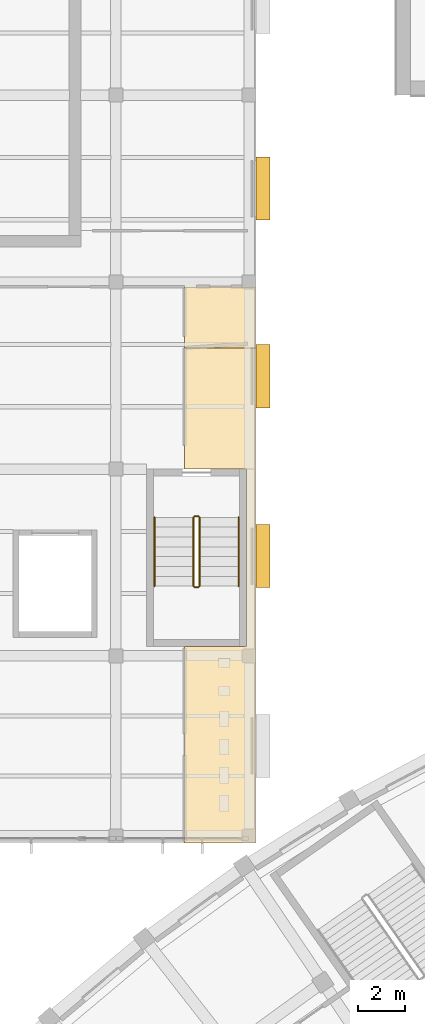
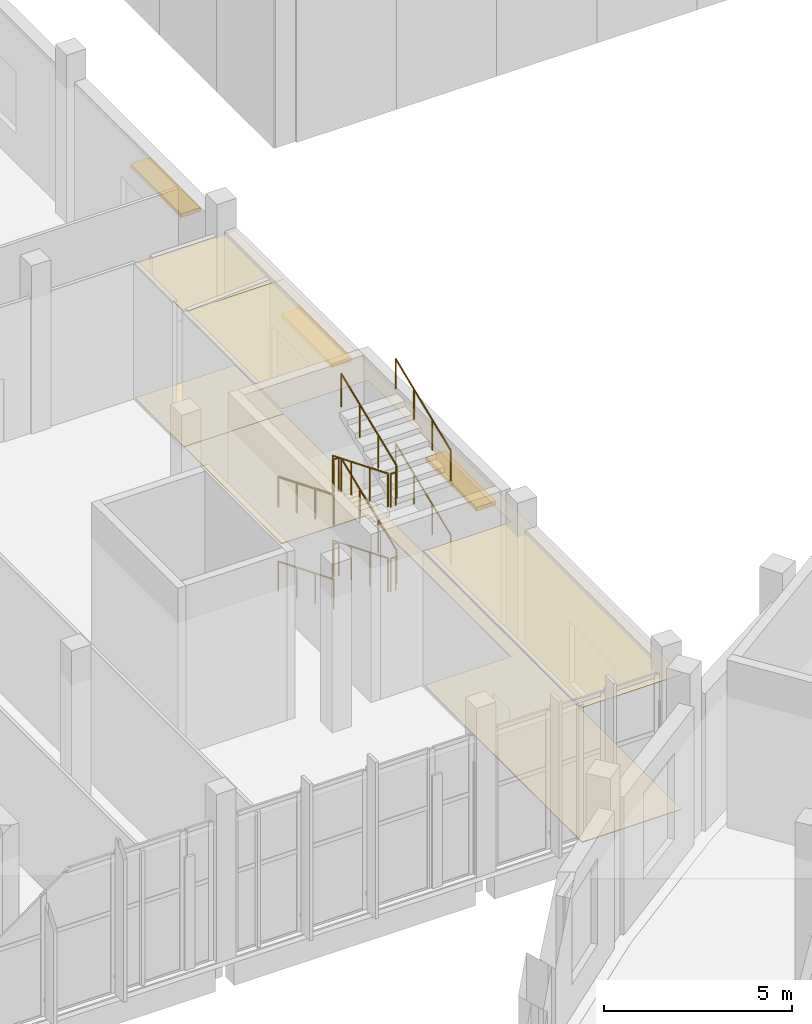
# One storey, part 90 of 112: 12 railings, 4 coverings, 3 shading devices.
"""IFC4 building model written with IfcOpenShell, lengths in metres."""

from ifc_helpers import new_model, si_unit, direction, frame, origin, origin_2d, place, context, subcontext, project, spatial, polyline, rectangle, circle, outline, extrude, material, layer, layer_set, type_object, element, save


model = new_model("IFC4")

# Units and contexts
model_context = context("Model", 3, precision=1e-05, world=origin(), true_north=direction((0.0, 1.0)))
body_context = subcontext(model_context, "Body", "Model", "MODEL_VIEW")
ifc_project = project(units=[si_unit("LENGTHUNIT", "METRE"), si_unit("AREAUNIT", "SQUARE_METRE"), si_unit("VOLUMEUNIT", "CUBIC_METRE"), si_unit("PLANEANGLEUNIT", "RADIAN"), si_unit("MASSUNIT", "GRAM", prefix="KILO")], contexts=[model_context])

# Site, building, storey
site_placement = place(None, origin())
site = spatial("IfcSite", under=ifc_project, at=site_placement, CompositionType="ELEMENT")
building_placement = place(site_placement, origin())
building = spatial("IfcBuilding", under=site, at=building_placement, Name="Lunette Opera House", CompositionType="ELEMENT")
storey_placement = place(building_placement, frame((0.0, 0.0, 6.0)))
storey = spatial("IfcBuildingStorey", under=building, at=storey_placement, Name="L01", CompositionType="ELEMENT", Elevation=6.0)

# Railings
ifc_material_1 = material(Name="Steel S355", Category="steel")
railing_type_1 = type_object("IfcRailingType", Name="STAIR GUARD 1100", PredefinedType="GUARDRAIL", material=ifc_material_1)
railing_1_placement = place(storey_placement, frame((51.320068359375, 77.929931640625, 0.171875)))
element("IfcRailing", 1, at=railing_1_placement, inside=storey, type_object=railing_type_1, Name="L01 ST16 stair guard 1", PredefinedType="GUARDRAIL", context=body_context, shape_type="SweptSolid", body=[
    extrude(circle(Radius=0.02392578125, at=origin_2d()), frame((0.0, 0.0, 1.076171875), z_axis=(0.0, -0.925500427511, 0.378746562595), x_axis=(1.0, 0.0, 0.0)), (0.0, 0.0, 1.0), 3.176513671875),
    extrude(circle(Radius=0.02099609375, at=origin_2d()), origin(), (0.0, 0.0, 1.0), 1.052001953125),
    extrude(circle(Radius=0.02099609375, at=origin_2d()), frame((0.0, -0.97998046875, 0.401123046875)), (0.0, 0.0, 1.0), 1.052001953125),
    extrude(circle(Radius=0.02099609375, at=origin_2d()), frame((0.0, -1.9599609375, 0.802001953125)), (0.0, 0.0, 1.0), 1.052001953125),
    extrude(circle(Radius=0.02099609375, at=origin_2d()), frame((0.0, -2.93994140625, 1.203125)), (0.0, 0.0, 1.0), 1.052001953125),
])
railing_2_placement = place(storey_placement, frame((51.3701171875, 74.93994140625, 1.375)))
element("IfcRailing", 2, at=railing_2_placement, inside=storey, type_object=railing_type_1, Name="L01 ST16 stair guard 2", PredefinedType="GUARDRAIL", context=body_context, shape_type="SweptSolid", body=[
    extrude(circle(Radius=0.02392578125, at=origin_2d()), frame((0.0, 0.0, 1.076171875), z_axis=(1.0, 0.0, 0.0), x_axis=(0.0, 1.0, 0.0)), (0.0, 0.0, 1.0), 0.159912109375),
    extrude(circle(Radius=0.02099609375, at=origin_2d()), origin(), (0.0, 0.0, 1.0), 1.052001953125),
    extrude(circle(Radius=0.02099609375, at=origin_2d()), frame((0.159912109375, 0.0, 0.0)), (0.0, 0.0, 1.0), 1.052001953125),
])
railing_3_placement = place(storey_placement, frame((51.580078125, 74.989990234375, 1.546875)))
element("IfcRailing", 3, at=railing_3_placement, inside=storey, type_object=railing_type_1, Name="L01 ST16 stair guard 3", PredefinedType="GUARDRAIL", context=body_context, shape_type="SweptSolid", body=[
    extrude(circle(Radius=0.02392578125, at=origin_2d()), frame((0.0, 0.0, 1.076171875), z_axis=(0.0, 0.925500427511, 0.378746562595), x_axis=(-1.0, 0.0, 0.0)), (0.0, 0.0, 1.0), 3.176513671875),
    extrude(circle(Radius=0.02099609375, at=origin_2d()), origin(), (0.0, 0.0, 1.0), 1.052001953125),
    extrude(circle(Radius=0.02099609375, at=origin_2d()), frame((0.0, 0.97998046875, 0.401123046875)), (0.0, 0.0, 1.0), 1.052001953125),
    extrude(circle(Radius=0.02099609375, at=origin_2d()), frame((0.0, 1.9599609375, 0.802001953125)), (0.0, 0.0, 1.0), 1.052001953125),
    extrude(circle(Radius=0.02099609375, at=origin_2d()), frame((0.0, 2.93994140625, 1.203125)), (0.0, 0.0, 1.0), 1.052001953125),
])
railing_4_placement = place(storey_placement, frame((51.3701171875, 77.97998046875, 2.75)))
element("IfcRailing", 4, at=railing_4_placement, inside=storey, type_object=railing_type_1, Name="L01 ST16 stair guard 4", PredefinedType="GUARDRAIL", context=body_context, shape_type="SweptSolid", body=[
    extrude(circle(Radius=0.02392578125, at=origin_2d()), frame((0.0, 0.0, 1.076171875), z_axis=(1.0, 0.0, 0.0), x_axis=(0.0, 1.0, 0.0)), (0.0, 0.0, 1.0), 0.159912109375),
    extrude(circle(Radius=0.02099609375, at=origin_2d()), origin(), (0.0, 0.0, 1.0), 1.052001953125),
    extrude(circle(Radius=0.02099609375, at=origin_2d()), frame((0.159912109375, 0.0, 0.0)), (0.0, 0.0, 1.0), 1.052001953125),
])
railing_5_placement = place(storey_placement, frame((51.320068359375, 77.929931640625, 2.921875)))
element("IfcRailing", 5, at=railing_5_placement, inside=storey, type_object=railing_type_1, Name="L01 ST16 stair guard 5", PredefinedType="GUARDRAIL", context=body_context, shape_type="SweptSolid", body=[
    extrude(circle(Radius=0.02392578125, at=origin_2d()), frame((0.0, 0.0, 1.076171875), z_axis=(0.0, -0.925500427511, 0.378746562595), x_axis=(1.0, 0.0, 0.0)), (0.0, 0.0, 1.0), 3.176513671875),
    extrude(circle(Radius=0.02099609375, at=origin_2d()), origin(), (0.0, 0.0, 1.0), 1.052001953125),
    extrude(circle(Radius=0.02099609375, at=origin_2d()), frame((0.0, -0.97998046875, 0.401123046875)), (0.0, 0.0, 1.0), 1.052001953125),
    extrude(circle(Radius=0.02099609375, at=origin_2d()), frame((0.0, -1.9599609375, 0.802001953125)), (0.0, 0.0, 1.0), 1.052001953125),
    extrude(circle(Radius=0.02099609375, at=origin_2d()), frame((0.0, -2.93994140625, 1.203125)), (0.0, 0.0, 1.0), 1.052001953125),
])
railing_6_placement = place(storey_placement, frame((51.3701171875, 74.93994140625, 4.125)))
element("IfcRailing", 6, at=railing_6_placement, inside=storey, type_object=railing_type_1, Name="L01 ST16 stair guard 6", PredefinedType="GUARDRAIL", context=body_context, shape_type="SweptSolid", body=[
    extrude(circle(Radius=0.02392578125, at=origin_2d()), frame((0.0, 0.0, 1.076171875), z_axis=(1.0, 0.0, 0.0), x_axis=(0.0, 1.0, 0.0)), (0.0, 0.0, 1.0), 0.159912109375),
    extrude(circle(Radius=0.02099609375, at=origin_2d()), origin(), (0.0, 0.0, 1.0), 1.052001953125),
    extrude(circle(Radius=0.02099609375, at=origin_2d()), frame((0.159912109375, 0.0, 0.0)), (0.0, 0.0, 1.0), 1.052001953125),
])
railing_7_placement = place(storey_placement, frame((51.580078125, 74.989990234375, 4.296875)))
element("IfcRailing", 7, at=railing_7_placement, inside=storey, type_object=railing_type_1, Name="L01 ST16 stair guard 7", PredefinedType="GUARDRAIL", context=body_context, shape_type="SweptSolid", body=[
    extrude(circle(Radius=0.02392578125, at=origin_2d()), frame((0.0, 0.0, 1.076171875), z_axis=(0.0, 0.925500427511, 0.378746562595), x_axis=(-1.0, 0.0, 0.0)), (0.0, 0.0, 1.0), 3.176513671875),
    extrude(circle(Radius=0.02099609375, at=origin_2d()), origin(), (0.0, 0.0, 1.0), 1.052001953125),
    extrude(circle(Radius=0.02099609375, at=origin_2d()), frame((0.0, 0.97998046875, 0.401123046875)), (0.0, 0.0, 1.0), 1.052001953125),
    extrude(circle(Radius=0.02099609375, at=origin_2d()), frame((0.0, 1.9599609375, 0.802001953125)), (0.0, 0.0, 1.0), 1.052001953125),
    extrude(circle(Radius=0.02099609375, at=origin_2d()), frame((0.0, 2.93994140625, 1.203125)), (0.0, 0.0, 1.0), 1.052001953125),
])
railing_8_placement = place(storey_placement, frame((51.3701171875, 77.97998046875, 0.0)))
element("IfcRailing", 8, at=railing_8_placement, inside=storey, type_object=railing_type_1, Name="L01 ST16 stair guard 8", PredefinedType="GUARDRAIL", context=body_context, shape_type="SweptSolid", body=[
    extrude(circle(Radius=0.02392578125, at=origin_2d()), frame((0.0, 0.0, 1.076171875), z_axis=(1.0, 0.0, 0.0), x_axis=(0.0, 1.0, 0.0)), (0.0, 0.0, 1.0), 0.159912109375),
    extrude(circle(Radius=0.02099609375, at=origin_2d()), origin(), (0.0, 0.0, 1.0), 1.052001953125),
    extrude(circle(Radius=0.02099609375, at=origin_2d()), frame((0.159912109375, 0.0, 0.0)), (0.0, 0.0, 1.0), 1.052001953125),
])
ifc_material_2 = material(Name="Steel S355", Category="steel")
railing_type_2 = type_object("IfcRailingType", Name="STAIR HANDRAIL 1000", PredefinedType="HANDRAIL", material=ifc_material_2)
railing_9_placement = place(storey_placement, frame((49.64990234375, 77.929931640625, 0.171875)))
element("IfcRailing", 9, at=railing_9_placement, inside=storey, type_object=railing_type_2, Name="L01 ST16 stair handrail 1", PredefinedType="HANDRAIL", context=body_context, shape_type="SweptSolid", body=[
    extrude(circle(Radius=0.02392578125, at=origin_2d()), frame((0.0, 0.0, 0.97607421875), z_axis=(0.0, -0.925500427511, 0.378746562595), x_axis=(1.0, 0.0, 0.0)), (0.0, 0.0, 1.0), 3.176513671875),
    extrude(circle(Radius=0.02099609375, at=origin_2d()), origin(), (0.0, 0.0, 1.0), 0.951904296875),
    extrude(circle(Radius=0.02099609375, at=origin_2d()), frame((0.0, -0.97998046875, 0.401123046875)), (0.0, 0.0, 1.0), 0.951904296875),
    extrude(circle(Radius=0.02099609375, at=origin_2d()), frame((0.0, -1.9599609375, 0.802001953125)), (0.0, 0.0, 1.0), 0.951904296875),
    extrude(circle(Radius=0.02099609375, at=origin_2d()), frame((0.0, -2.93994140625, 1.203125)), (0.0, 0.0, 1.0), 0.951904296875),
])
railing_10_placement = place(storey_placement, frame((53.25, 74.989990234375, 1.546875)))
element("IfcRailing", 10, at=railing_10_placement, inside=storey, type_object=railing_type_2, Name="L01 ST16 stair handrail 2", PredefinedType="HANDRAIL", context=body_context, shape_type="SweptSolid", body=[
    extrude(circle(Radius=0.02392578125, at=origin_2d()), frame((0.0, 0.0, 0.97607421875), z_axis=(0.0, 0.925500427511, 0.378746562595), x_axis=(-1.0, 0.0, 0.0)), (0.0, 0.0, 1.0), 3.176513671875),
    extrude(circle(Radius=0.02099609375, at=origin_2d()), origin(), (0.0, 0.0, 1.0), 0.951904296875),
    extrude(circle(Radius=0.02099609375, at=origin_2d()), frame((0.0, 0.97998046875, 0.401123046875)), (0.0, 0.0, 1.0), 0.951904296875),
    extrude(circle(Radius=0.02099609375, at=origin_2d()), frame((0.0, 1.9599609375, 0.802001953125)), (0.0, 0.0, 1.0), 0.951904296875),
    extrude(circle(Radius=0.02099609375, at=origin_2d()), frame((0.0, 2.93994140625, 1.203125)), (0.0, 0.0, 1.0), 0.951904296875),
])
railing_11_placement = place(storey_placement, frame((49.64990234375, 77.929931640625, 2.921875)))
element("IfcRailing", 11, at=railing_11_placement, inside=storey, type_object=railing_type_2, Name="L01 ST16 stair handrail 3", PredefinedType="HANDRAIL", context=body_context, shape_type="SweptSolid", body=[
    extrude(circle(Radius=0.02392578125, at=origin_2d()), frame((0.0, 0.0, 0.97607421875), z_axis=(0.0, -0.925500427511, 0.378746562595), x_axis=(1.0, 0.0, 0.0)), (0.0, 0.0, 1.0), 3.176513671875),
    extrude(circle(Radius=0.02099609375, at=origin_2d()), origin(), (0.0, 0.0, 1.0), 0.951904296875),
    extrude(circle(Radius=0.02099609375, at=origin_2d()), frame((0.0, -0.97998046875, 0.401123046875)), (0.0, 0.0, 1.0), 0.951904296875),
    extrude(circle(Radius=0.02099609375, at=origin_2d()), frame((0.0, -1.9599609375, 0.802001953125)), (0.0, 0.0, 1.0), 0.951904296875),
    extrude(circle(Radius=0.02099609375, at=origin_2d()), frame((0.0, -2.93994140625, 1.203125)), (0.0, 0.0, 1.0), 0.951904296875),
])
railing_12_placement = place(storey_placement, frame((53.25, 74.989990234375, 4.296875)))
element("IfcRailing", 12, at=railing_12_placement, inside=storey, type_object=railing_type_2, Name="L01 ST16 stair handrail 4", PredefinedType="HANDRAIL", context=body_context, shape_type="SweptSolid", body=[
    extrude(circle(Radius=0.02392578125, at=origin_2d()), frame((0.0, 0.0, 0.97607421875), z_axis=(0.0, 0.925500427511, 0.378746562595), x_axis=(-1.0, 0.0, 0.0)), (0.0, 0.0, 1.0), 3.176513671875),
    extrude(circle(Radius=0.02099609375, at=origin_2d()), origin(), (0.0, 0.0, 1.0), 0.951904296875),
    extrude(circle(Radius=0.02099609375, at=origin_2d()), frame((0.0, 0.97998046875, 0.401123046875)), (0.0, 0.0, 1.0), 0.951904296875),
    extrude(circle(Radius=0.02099609375, at=origin_2d()), frame((0.0, 1.9599609375, 0.802001953125)), (0.0, 0.0, 1.0), 0.951904296875),
    extrude(circle(Radius=0.02099609375, at=origin_2d()), frame((0.0, 2.93994140625, 1.203125)), (0.0, 0.0, 1.0), 0.951904296875),
])

# Coverings
ifc_material_3 = material(Name="Mineral fibre board")
ifc_layer_1 = layer(ifc_material_3, 0.014892578125)
ifc_layer_set_1 = layer_set([ifc_layer_1], Name="Mineral fibre board")
covering_type_1 = type_object("IfcCoveringType", Name="SUSPENDED ACOUSTIC CEILING 15", PredefinedType="CEILING", material=ifc_layer_set_1)
covering_1_placement = place(storey_placement, frame((0.0, 0.0, 4.385009765625)))
element("IfcCovering", 13, at=covering_1_placement, inside=storey, type_object=covering_type_1, Name="Ceiling Artists' WC", PredefinedType="CEILING", context=body_context, shape_type="SweptSolid", body=[
    extrude(outline(polyline([(50.94189453125, 72.39990234375), (53.60009765625, 72.39990234375), (53.60009765625, 80.0), (50.94189453125, 80.0), (50.94189453125, 85.18310546875), (54.0, 85.18310546875), (54.0, 64.0), (50.94189453125, 64.0), (50.94189453125, 72.39990234375)])), origin(), (0.0, 0.0, 1.0), 0.014892578125),
])
covering_2_placement = place(storey_placement, frame((0.0, 0.0, 4.385009765625)))
element("IfcCovering", 14, at=covering_2_placement, inside=storey, type_object=covering_type_1, Name="Ceiling Accessible WC L01 Rehearsal", PredefinedType="CEILING", context=body_context, shape_type="SweptSolid", body=[
    extrude(outline(polyline([(50.94189453125, 87.800048828125), (54.0, 87.800048828125), (54.0, 85.18310546875), (50.94189453125, 85.18310546875), (50.94189453125, 87.800048828125)])), origin(), (0.0, 0.0, 1.0), 0.014892578125),
])
ifc_material_4 = material(Name="Ceramic tile")
ifc_layer_2 = layer(ifc_material_4, 0.02490234375)
ifc_layer_set_2 = layer_set([ifc_layer_2], Name="Ceramic tile")
covering_type_2 = type_object("IfcCoveringType", Name="TILED FLOOR FINISH 25", PredefinedType="FLOORING", material=ifc_layer_set_2)
covering_3_placement = place(storey_placement, origin())
element("IfcCovering", 15, at=covering_3_placement, inside=storey, type_object=covering_type_2, Name="Floor finish Artists' WC", PredefinedType="FLOORING", context=body_context, shape_type="SweptSolid", body=[
    extrude(outline(polyline([(50.94189453125, 72.39990234375), (53.60009765625, 72.39990234375), (53.60009765625, 80.0), (50.94189453125, 80.0), (50.94189453125, 85.18310546875), (54.0, 85.18310546875), (54.0, 64.0), (50.94189453125, 64.0), (50.94189453125, 72.39990234375)])), origin(), (0.0, 0.0, 1.0), 0.02490234375),
])
covering_4_placement = place(storey_placement, origin())
element("IfcCovering", 16, at=covering_4_placement, inside=storey, type_object=covering_type_2, Name="Floor finish Accessible WC L01 Rehearsal", PredefinedType="FLOORING", context=body_context, shape_type="SweptSolid", body=[
    extrude(outline(polyline([(50.94189453125, 87.800048828125), (54.0, 87.800048828125), (54.0, 85.18310546875), (50.94189453125, 85.18310546875), (50.94189453125, 87.800048828125)])), origin(), (0.0, 0.0, 1.0), 0.02490234375),
])

# Shading devices
ifc_material_5 = material(Name="Powder-coated aluminium", Category="aluminium")
ifc_layer_3 = layer(ifc_material_5, 0.1201171875)
ifc_layer_set_3 = layer_set([ifc_layer_3], Name="Powder-coated aluminium")
shading_device_type = type_object("IfcShadingDeviceType", Name="WINDOW HOOD 600 X 2700", PredefinedType="USERDEFINED", material=ifc_layer_set_3)
for number, where, z_axis, x_axis, name in (
    (17, (54.300048828125, 76.27294921875, 3.079833984375), (0.0, 0.0, 1.0), (1.0, 0.0, 0.0), "Window hood RW-N2014"),
    (18, (54.300048828125, 83.971923828125, 3.079833984375), (0.0, 0.0, 1.0), (1.0, 0.0, 0.0), "Window hood RW-N2015"),
    (19, (54.300048828125, 92.0, 3.079833984375), (0.0, 0.0, 1.0), (1.0, 0.0, 0.0), "Window hood RW-N2016"),
):
    element("IfcShadingDevice", number, at=place(storey_placement, frame(where, z_axis=z_axis, x_axis=x_axis)), inside=storey, type_object=shading_device_type, Name=name, ObjectType="WINDOW HOOD", PredefinedType="USERDEFINED", context=body_context, shape_type="SweptSolid", body=[
        extrude(rectangle(XDim=0.60009765625, YDim=2.699951171875, at=origin_2d()), origin(), (0.0, 0.0, 1.0), 0.1201171875),
    ])

save(model, "model.ifc")
